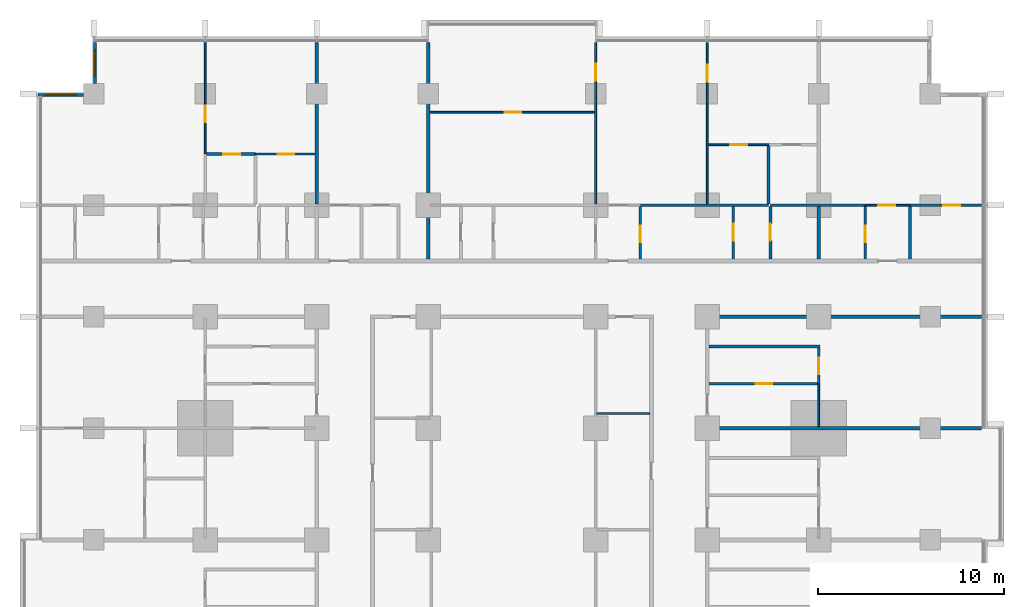
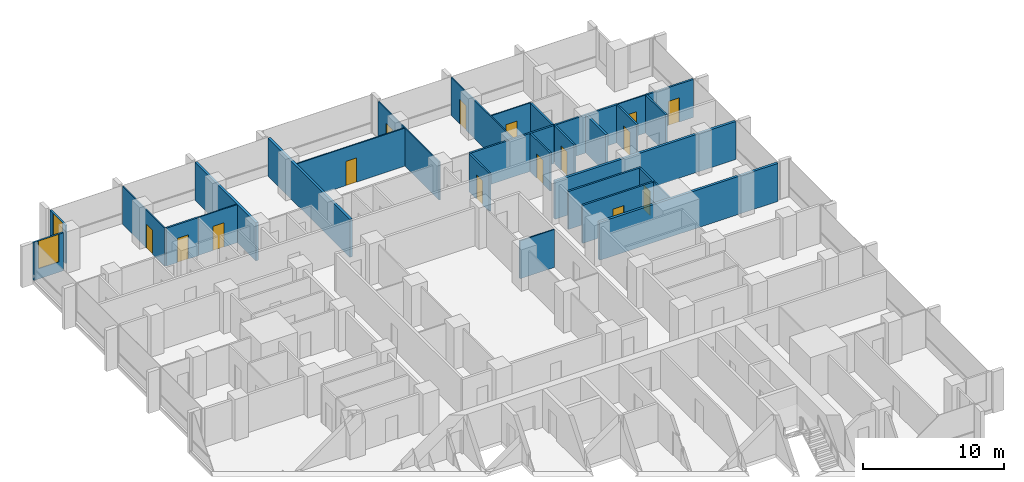
# One storey, part 12 of 18: 29 walls, 15 doors, 2 windows, 17 openings.
"""IFC4 building model written with IfcOpenShell, lengths in metres."""

from ifc_helpers import new_model, si_unit, direction, frame, frame_2d, origin, place, context, subcontext, project, spatial, rectangle, extrude, material, layer, layer_set, type_object, element, fill, save


model = new_model("IFC4")

# Units and contexts
model_context = context("Model", 3, precision=1e-05, world=origin(), true_north=direction((0.0, 1.0)))
body_context = subcontext(model_context, "Body", "Model", "MODEL_VIEW")
ifc_project = project(units=[si_unit("LENGTHUNIT", "METRE"), si_unit("AREAUNIT", "SQUARE_METRE"), si_unit("VOLUMEUNIT", "CUBIC_METRE"), si_unit("PLANEANGLEUNIT", "RADIAN"), si_unit("MASSUNIT", "GRAM", prefix="KILO")], contexts=[model_context])

# Site, building, storey
site_placement = place(None, origin())
site = spatial("IfcSite", under=ifc_project, at=site_placement, CompositionType="ELEMENT")
building_placement = place(site_placement, origin())
building = spatial("IfcBuilding", under=site, at=building_placement, Name="Finial Court Residences", CompositionType="ELEMENT")
storey_placement = place(building_placement, frame((0.0, 0.0, 50.5)))
storey = spatial("IfcBuildingStorey", under=building, at=storey_placement, Name="L11", CompositionType="ELEMENT", Elevation=50.5)

# Walls
ifc_material_1 = material(Name="Gypsum board")
ifc_layer_1 = layer(ifc_material_1, 0.02490234375)
ifc_material_2 = material(Name="Acoustic mineral wool in double frame")
ifc_layer_2 = layer(ifc_material_2, 0.14990234375)
ifc_layer_3 = layer(ifc_material_1, 0.02490234375)
ifc_layer_set_1 = layer_set([ifc_layer_1, ifc_layer_2, ifc_layer_3], Name="Acoustic party wall 200, 1 hour")
wall_type_1 = type_object("IfcWallType", Name="Acoustic party wall 200, 1 hour", PredefinedType="PARTITIONING", material=ifc_layer_set_1)
wall_1_placement = place(storey_placement, frame((10.60009765625, 7.5, 0.0), z_axis=(0.0, 0.0, 1.0), x_axis=(1.0, 0.0, 0.0)))
element("IfcWall", 1, at=wall_1_placement, inside=storey, type_object=wall_type_1, Name="Partition L11-024", PredefinedType="PARTITIONING", context=body_context, shape_type="SweptSolid", body=[
    extrude(rectangle(XDim=14.64990234375, YDim=0.199951171875, at=frame_2d((7.324951171875, 0.0))), origin(), (0.0, 0.0, 1.0), 3.300048828125),
])
wall_2_placement = place(storey_placement, frame((-10.5, 19.574951171875, 0.0), z_axis=(0.0, 0.0, 1.0), x_axis=(0.0, 1.0, 0.0)))
element("IfcWall", 2, at=wall_2_placement, inside=storey, type_object=wall_type_1, Name="Partition L11-078", PredefinedType="PARTITIONING", context=body_context, shape_type="SweptSolid", body=[
    extrude(rectangle(XDim=8.675048828125, YDim=0.199951171875, at=frame_2d((4.33740234375, 0.0))), origin(), (0.0, 0.0, 1.0), 3.300048828125),
])
wall_3_placement = place(storey_placement, frame((-4.5, 16.60009765625, 0.0), z_axis=(0.0, 0.0, 1.0), x_axis=(0.0, 1.0, 0.0)))
element("IfcWall", 3, at=wall_3_placement, inside=storey, type_object=wall_type_1, Name="Partition L11-082", PredefinedType="PARTITIONING", context=body_context, shape_type="SweptSolid", body=[
    extrude(rectangle(XDim=11.64990234375, YDim=0.199951171875, at=frame_2d((5.824951171875, 0.0))), origin(), (0.0, 0.0, 1.0), 3.300048828125),
])
wall_4_placement = place(storey_placement, frame((16.5, 16.60009765625, 0.0), z_axis=(0.0, 0.0, 1.0), x_axis=(0.0, 1.0, 0.0)))
element("IfcWall", 4, at=wall_4_placement, inside=storey, type_object=wall_type_1, Name="Partition L11-100", PredefinedType="PARTITIONING", context=body_context, shape_type="SweptSolid", body=[
    extrude(rectangle(XDim=2.824951171875, YDim=0.199951171875, at=frame_2d((1.41259765625, 0.0))), origin(), (0.0, 0.0, 1.0), 3.300048828125),
])
ifc_layer_4 = layer(ifc_material_1, 0.02490234375)
ifc_layer_5 = layer(ifc_material_2, 0.14990234375)
ifc_layer_6 = layer(ifc_material_1, 0.02490234375)
ifc_layer_set_2 = layer_set([ifc_layer_4, ifc_layer_5, ifc_layer_6], Name="Corridor wall 200, 1 hour")
wall_type_2 = type_object("IfcWallType", Name="Corridor wall 200, 1 hour", PredefinedType="PARTITIONING", material=ifc_layer_set_2)
wall_5_placement = place(storey_placement, frame((10.39990234375, 13.5, 0.0), z_axis=(0.0, 0.0, 1.0), x_axis=(1.0, 0.0, 0.0)))
element("IfcWall", 5, at=wall_5_placement, inside=storey, type_object=wall_type_2, Name="Partition L11-034", PredefinedType="PARTITIONING", context=body_context, shape_type="SweptSolid", body=[
    extrude(rectangle(XDim=14.85009765625, YDim=0.199951171875, at=frame_2d((7.425048828125, 0.0))), origin(), (0.0, 0.0, 1.0), 3.300048828125),
])
ifc_layer_7 = layer(ifc_material_1, 0.012451171875)
ifc_material_3 = material(Name="Mineral wool in light-gauge frame")
ifc_layer_8 = layer(ifc_material_3, 0.074951171875)
ifc_layer_9 = layer(ifc_material_1, 0.012451171875)
ifc_layer_set_3 = layer_set([ifc_layer_7, ifc_layer_8, ifc_layer_9], Name="Gypsum board partition 100")
wall_type_3 = type_object("IfcWallType", Name="Gypsum board partition 100", PredefinedType="PARTITIONING", material=ifc_layer_set_3)
wall_6_placement = place(storey_placement, frame((4.550048828125, 8.300048828125, 0.0), z_axis=(0.0, 0.0, 1.0), x_axis=(1.0, 0.0, 0.0)))
element("IfcWall", 6, at=wall_6_placement, inside=storey, type_object=wall_type_3, Name="Partition L11-027", PredefinedType="PARTITIONING", context=body_context, shape_type="SweptSolid", body=[
    extrude(rectangle(XDim=2.849853515625, YDim=0.10009765625, at=frame_2d((1.4248046875, 0.0))), origin(), (0.0, 0.0, 1.0), 3.300048828125),
])

# Wall, opening, door
wall_7_placement = place(storey_placement, frame((19.0, 19.5, 0.0), z_axis=(0.0, 0.0, 1.0), x_axis=(1.0, 0.0, 0.0)))
wall_7 = element("IfcWall", 7, at=wall_7_placement, inside=storey, type_object=wall_type_3, Name="Partition L11-041", PredefinedType="PARTITIONING", context=body_context, shape_type="SweptSolid", body=[
    extrude(rectangle(XDim=2.39990234375, YDim=0.10009765625, at=frame_2d((1.199951171875, 0.0))), origin(), (0.0, 0.0, 1.0), 3.300048828125),
])
opening_1_placement = place(wall_7_placement, frame((0.699951171875, 0.0, 0.0)))
opening_1 = element("IfcOpeningElement", 8, at=opening_1_placement, cuts=wall_7, Name="Opening L11-D026", PredefinedType="OPENING", context=body_context, shape_type="SweptSolid", body=[
    extrude(rectangle(XDim=0.89990234375, YDim=2.10009765625, at=frame_2d((0.449951171875, 1.050048828125))), frame((0.0, 0.06005859375, 0.0), z_axis=(0.0, -1.0, 0.0), x_axis=(1.0, 0.0, 0.0)), (0.0, 0.0, 1.0), 0.1201171875),
])
ifc_material_4 = material(Name="Timber door leaf in timber frame", Category="wood")
door_type = type_object("IfcDoorType", Name="Door set 900 x 2100", OperationType="SINGLE_SWING_LEFT", PredefinedType="DOOR", material=ifc_material_4)
door_1_placement = place(opening_1_placement, origin())
door_1 = element("IfcDoor", 9, at=door_1_placement, inside=storey, type_object=door_type, Name="Door L11-D026", OperationType="SINGLE_SWING_LEFT", OverallHeight=2.10009765625, OverallWidth=0.89990234375, PredefinedType="DOOR", context=body_context, shape_type="SweptSolid", body=[
    extrude(rectangle(XDim=0.89990234375, YDim=2.10009765625, at=frame_2d((0.449951171875, 1.050048828125))), frame((0.0, 0.02490234375, 0.0), z_axis=(0.0, -1.0, 0.0), x_axis=(1.0, 0.0, 0.0)), (0.0, 0.0, 1.0), 0.050048828125),
])
fill(opening_1, door_1)

wall_8_placement = place(storey_placement, frame((-13.800048828125, 22.25, 0.0), z_axis=(0.0, 0.0, 1.0), x_axis=(1.0, 0.0, 0.0)))
wall_8 = element("IfcWall", 10, at=wall_8_placement, inside=storey, type_object=wall_type_3, Name="Partition L11-050", PredefinedType="PARTITIONING", context=body_context, shape_type="SweptSolid", body=[
    extrude(rectangle(XDim=3.199951171875, YDim=0.10009765625, at=frame_2d((1.60009765625, 0.0))), origin(), (0.0, 0.0, 1.0), 3.300048828125),
])
opening_2_placement = place(wall_8_placement, frame((1.199951171875, 0.0, 0.0)))
opening_2 = element("IfcOpeningElement", 11, at=opening_2_placement, cuts=wall_8, Name="Opening L11-D029", PredefinedType="OPENING", context=body_context, shape_type="SweptSolid", body=[
    extrude(rectangle(XDim=0.89990234375, YDim=2.10009765625, at=frame_2d((0.449951171875, 1.050048828125))), frame((0.0, 0.06005859375, 0.0), z_axis=(0.0, -1.0, 0.0), x_axis=(1.0, 0.0, 0.0)), (0.0, 0.0, 1.0), 0.1201171875),
])
door_2_placement = place(opening_2_placement, origin())
door_2 = element("IfcDoor", 12, at=door_2_placement, inside=storey, type_object=door_type, Name="Door L11-D029", OperationType="SINGLE_SWING_LEFT", OverallHeight=2.10009765625, OverallWidth=0.89990234375, PredefinedType="DOOR", context=body_context, shape_type="SweptSolid", body=[
    extrude(rectangle(XDim=0.89990234375, YDim=2.10009765625, at=frame_2d((0.449951171875, 1.050048828125))), frame((0.0, 0.02490234375, 0.0), z_axis=(0.0, -1.0, 0.0), x_axis=(1.0, 0.0, 0.0)), (0.0, 0.0, 1.0), 0.050048828125),
])
fill(opening_2, door_2)

wall_9_placement = place(storey_placement, frame((10.550048828125, 22.75, 0.0), z_axis=(0.0, 0.0, 1.0), x_axis=(1.0, 0.0, 0.0)))
wall_9 = element("IfcWall", 13, at=wall_9_placement, inside=storey, type_object=wall_type_3, Name="Partition L11-052", PredefinedType="PARTITIONING", context=body_context, shape_type="SweptSolid", body=[
    extrude(rectangle(XDim=3.25, YDim=0.10009765625, at=frame_2d((1.625, 0.0))), origin(), (0.0, 0.0, 1.0), 3.300048828125),
])
opening_3_placement = place(wall_9_placement, frame((1.199951171875, 0.0, 0.0)))
opening_3 = element("IfcOpeningElement", 14, at=opening_3_placement, cuts=wall_9, Name="Opening L11-D031", PredefinedType="OPENING", context=body_context, shape_type="SweptSolid", body=[
    extrude(rectangle(XDim=0.89990234375, YDim=2.10009765625, at=frame_2d((0.449951171875, 1.050048828125))), frame((0.0, 0.06005859375, 0.0), z_axis=(0.0, -1.0, 0.0), x_axis=(1.0, 0.0, 0.0)), (0.0, 0.0, 1.0), 0.1201171875),
])
door_3_placement = place(opening_3_placement, origin())
door_3 = element("IfcDoor", 15, at=door_3_placement, inside=storey, type_object=door_type, Name="Door L11-D031", OperationType="SINGLE_SWING_LEFT", OverallHeight=2.10009765625, OverallWidth=0.89990234375, PredefinedType="DOOR", context=body_context, shape_type="SweptSolid", body=[
    extrude(rectangle(XDim=0.89990234375, YDim=2.10009765625, at=frame_2d((0.449951171875, 1.050048828125))), frame((0.0, 0.02490234375, 0.0), z_axis=(0.0, -1.0, 0.0), x_axis=(1.0, 0.0, 0.0)), (0.0, 0.0, 1.0), 0.050048828125),
])
fill(opening_3, door_3)

wall_10_placement = place(storey_placement, frame((-4.39990234375, 24.5, 0.0), z_axis=(0.0, 0.0, 1.0), x_axis=(1.0, 0.0, 0.0)))
wall_10 = element("IfcWall", 16, at=wall_10_placement, inside=storey, type_object=wall_type_3, Name="Partition L11-054", PredefinedType="PARTITIONING", context=body_context, shape_type="SweptSolid", body=[
    extrude(rectangle(XDim=8.849853515625, YDim=0.10009765625, at=frame_2d((4.4248046875, 0.0))), origin(), (0.0, 0.0, 1.0), 3.300048828125),
])
opening_4_placement = place(wall_10_placement, frame((4.0, 0.0, 0.0)))
opening_4 = element("IfcOpeningElement", 17, at=opening_4_placement, cuts=wall_10, Name="Opening L11-D033", PredefinedType="OPENING", context=body_context, shape_type="SweptSolid", body=[
    extrude(rectangle(XDim=0.89990234375, YDim=2.10009765625, at=frame_2d((0.449951171875, 1.050048828125))), frame((0.0, 0.06005859375, 0.0), z_axis=(0.0, -1.0, 0.0), x_axis=(1.0, 0.0, 0.0)), (0.0, 0.0, 1.0), 0.1201171875),
])
door_4_placement = place(opening_4_placement, origin())
door_4 = element("IfcDoor", 18, at=door_4_placement, inside=storey, type_object=door_type, Name="Door L11-D033", OperationType="SINGLE_SWING_LEFT", OverallHeight=2.10009765625, OverallWidth=0.89990234375, PredefinedType="DOOR", context=body_context, shape_type="SweptSolid", body=[
    extrude(rectangle(XDim=0.89990234375, YDim=2.10009765625, at=frame_2d((0.449951171875, 1.050048828125))), frame((0.0, 0.02490234375, 0.0), z_axis=(0.0, -1.0, 0.0), x_axis=(1.0, 0.0, 0.0)), (0.0, 0.0, 1.0), 0.050048828125),
])
fill(opening_4, door_4)

wall_11_placement = place(storey_placement, frame((-16.5, 22.25, 0.0), z_axis=(0.0, 0.0, 1.0), x_axis=(0.0, 1.0, 0.0)))
wall_11 = element("IfcWall", 19, at=wall_11_placement, inside=storey, type_object=wall_type_3, Name="Partition L11-066", PredefinedType="PARTITIONING", context=body_context, shape_type="SweptSolid", body=[
    extrude(rectangle(XDim=6.0, YDim=0.10009765625, at=frame_2d((3.0, 0.0))), origin(), (0.0, 0.0, 1.0), 3.300048828125),
])
opening_5_placement = place(wall_11_placement, frame((1.699951171875, 0.0, 0.0)))
opening_5 = element("IfcOpeningElement", 20, at=opening_5_placement, cuts=wall_11, Name="Opening L11-D043", PredefinedType="OPENING", context=body_context, shape_type="SweptSolid", body=[
    extrude(rectangle(XDim=0.89990234375, YDim=2.10009765625, at=frame_2d((0.449951171875, 1.050048828125))), frame((0.0, 0.06005859375, 0.0), z_axis=(0.0, -1.0, 0.0), x_axis=(1.0, 0.0, 0.0)), (0.0, 0.0, 1.0), 0.1201171875),
])
door_5_placement = place(opening_5_placement, origin())
door_5 = element("IfcDoor", 21, at=door_5_placement, inside=storey, type_object=door_type, Name="Door L11-D043", OperationType="SINGLE_SWING_LEFT", OverallHeight=2.10009765625, OverallWidth=0.89990234375, PredefinedType="DOOR", context=body_context, shape_type="SweptSolid", body=[
    extrude(rectangle(XDim=0.89990234375, YDim=2.10009765625, at=frame_2d((0.449951171875, 1.050048828125))), frame((0.0, 0.02490234375, 0.0), z_axis=(0.0, -1.0, 0.0), x_axis=(1.0, 0.0, 0.0)), (0.0, 0.0, 1.0), 0.050048828125),
])
fill(opening_5, door_5)

wall_12_placement = place(storey_placement, frame((4.5, 19.574951171875, 0.0), z_axis=(0.0, 0.0, 1.0), x_axis=(0.0, 1.0, 0.0)))
wall_12 = element("IfcWall", 22, at=wall_12_placement, inside=storey, type_object=wall_type_3, Name="Partition L11-087", PredefinedType="PARTITIONING", context=body_context, shape_type="SweptSolid", body=[
    extrude(rectangle(XDim=8.675048828125, YDim=0.10009765625, at=frame_2d((4.33740234375, 0.0))), origin(), (0.0, 0.0, 1.0), 3.300048828125),
])
opening_6_placement = place(wall_12_placement, frame((6.625, 0.0, 0.0)))
opening_6 = element("IfcOpeningElement", 23, at=opening_6_placement, cuts=wall_12, Name="Opening L11-D053", PredefinedType="OPENING", context=body_context, shape_type="SweptSolid", body=[
    extrude(rectangle(XDim=0.89990234375, YDim=2.10009765625, at=frame_2d((0.449951171875, 1.050048828125))), frame((0.0, 0.06005859375, 0.0), z_axis=(0.0, -1.0, 0.0), x_axis=(1.0, 0.0, 0.0)), (0.0, 0.0, 1.0), 0.1201171875),
])
door_6_placement = place(opening_6_placement, origin())
door_6 = element("IfcDoor", 24, at=door_6_placement, inside=storey, type_object=door_type, Name="Door L11-D053", OperationType="SINGLE_SWING_LEFT", OverallHeight=2.10009765625, OverallWidth=0.89990234375, PredefinedType="DOOR", context=body_context, shape_type="SweptSolid", body=[
    extrude(rectangle(XDim=0.89990234375, YDim=2.10009765625, at=frame_2d((0.449951171875, 1.050048828125))), frame((0.0, 0.02490234375, 0.0), z_axis=(0.0, -1.0, 0.0), x_axis=(1.0, 0.0, 0.0)), (0.0, 0.0, 1.0), 0.050048828125),
])
fill(opening_6, door_6)

wall_13_placement = place(storey_placement, frame((10.5, 19.574951171875, 0.0), z_axis=(0.0, 0.0, 1.0), x_axis=(0.0, 1.0, 0.0)))
wall_13 = element("IfcWall", 25, at=wall_13_placement, inside=storey, type_object=wall_type_3, Name="Partition L11-092", PredefinedType="PARTITIONING", context=body_context, shape_type="SweptSolid", body=[
    extrude(rectangle(XDim=8.675048828125, YDim=0.10009765625, at=frame_2d((4.33740234375, 0.0))), origin(), (0.0, 0.0, 1.0), 3.300048828125),
])
opening_7_placement = place(wall_13_placement, frame((6.574951171875, 0.0, 0.0)))
opening_7 = element("IfcOpeningElement", 26, at=opening_7_placement, cuts=wall_13, Name="Opening L11-D059", PredefinedType="OPENING", context=body_context, shape_type="SweptSolid", body=[
    extrude(rectangle(XDim=0.89990234375, YDim=2.10009765625, at=frame_2d((0.449951171875, 1.050048828125))), frame((0.0, 0.06005859375, 0.0), z_axis=(0.0, -1.0, 0.0), x_axis=(1.0, 0.0, 0.0)), (0.0, 0.0, 1.0), 0.1201171875),
])
door_7_placement = place(opening_7_placement, origin())
door_7 = element("IfcDoor", 27, at=door_7_placement, inside=storey, type_object=door_type, Name="Door L11-D059", OperationType="SINGLE_SWING_RIGHT", OverallHeight=2.10009765625, OverallWidth=0.89990234375, PredefinedType="DOOR", context=body_context, shape_type="SweptSolid", body=[
    extrude(rectangle(XDim=0.89990234375, YDim=2.10009765625, at=frame_2d((0.449951171875, 1.050048828125))), frame((0.0, 0.02490234375, 0.0), z_axis=(0.0, -1.0, 0.0), x_axis=(1.0, 0.0, 0.0)), (0.0, 0.0, 1.0), 0.050048828125),
])
fill(opening_7, door_7)

# Wall
wall_14_placement = place(storey_placement, frame((16.5, 7.60009765625, 0.0), z_axis=(0.0, 0.0, 1.0), x_axis=(0.0, 1.0, 0.0)))
element("IfcWall", 28, at=wall_14_placement, inside=storey, type_object=wall_type_3, Name="Partition L11-099", PredefinedType="PARTITIONING", context=body_context, shape_type="SweptSolid", body=[
    extrude(rectangle(XDim=2.2998046875, YDim=0.10009765625, at=frame_2d((1.14990234375, 0.0))), origin(), (0.0, 0.0, 1.0), 3.300048828125),
])

# Wall, opening, door
ifc_material_5 = material(Name="Moisture-resistant gypsum board")
ifc_layer_10 = layer(ifc_material_5, 0.012451171875)
ifc_layer_11 = layer(ifc_material_3, 0.125)
ifc_layer_12 = layer(ifc_material_5, 0.012451171875)
ifc_layer_set_4 = layer_set([ifc_layer_10, ifc_layer_11, ifc_layer_12], Name="Gypsum board wet-area partition 150")
wall_type_4 = type_object("IfcWallType", Name="Gypsum board wet-area partition 150", PredefinedType="PARTITIONING", material=ifc_layer_set_4)
wall_15_placement = place(storey_placement, frame((10.60009765625, 9.89990234375, 0.0), z_axis=(0.0, 0.0, 1.0), x_axis=(1.0, 0.0, 0.0)))
wall_15 = element("IfcWall", 29, at=wall_15_placement, inside=storey, type_object=wall_type_4, Name="Partition L11-029", PredefinedType="PARTITIONING", context=body_context, shape_type="SweptSolid", body=[
    extrude(rectangle(XDim=5.824951171875, YDim=0.14990234375, at=frame_2d((2.91259765625, 0.0))), origin(), (0.0, 0.0, 1.0), 3.300048828125),
])
opening_8_placement = place(wall_15_placement, frame((2.5, 0.0, 0.0)))
opening_8 = element("IfcOpeningElement", 30, at=opening_8_placement, cuts=wall_15, Name="Opening L11-D015", PredefinedType="OPENING", context=body_context, shape_type="SweptSolid", body=[
    extrude(rectangle(XDim=0.89990234375, YDim=2.10009765625, at=frame_2d((0.449951171875, 1.050048828125))), frame((0.0, 0.0849609375, 0.0), z_axis=(0.0, -1.0, 0.0), x_axis=(1.0, 0.0, 0.0)), (0.0, 0.0, 1.0), 0.169921875),
])
door_8_placement = place(opening_8_placement, origin())
door_8 = element("IfcDoor", 31, at=door_8_placement, inside=storey, type_object=door_type, Name="Door L11-D015", OperationType="SINGLE_SWING_LEFT", OverallHeight=2.10009765625, OverallWidth=0.89990234375, PredefinedType="DOOR", context=body_context, shape_type="SweptSolid", body=[
    extrude(rectangle(XDim=0.89990234375, YDim=2.10009765625, at=frame_2d((0.449951171875, 1.050048828125))), frame((0.0, 0.02490234375, 0.0), z_axis=(0.0, -1.0, 0.0), x_axis=(1.0, 0.0, 0.0)), (0.0, 0.0, 1.0), 0.050048828125),
])
fill(opening_8, door_8)

# Walls
wall_16_placement = place(storey_placement, frame((10.60009765625, 11.89990234375, 0.0), z_axis=(0.0, 0.0, 1.0), x_axis=(1.0, 0.0, 0.0)))
element("IfcWall", 32, at=wall_16_placement, inside=storey, type_object=wall_type_4, Name="Partition L11-031", PredefinedType="PARTITIONING", context=body_context, shape_type="SweptSolid", body=[
    extrude(rectangle(XDim=5.974853515625, YDim=0.14990234375, at=frame_2d((2.9873046875, 0.0))), origin(), (0.0, 0.0, 1.0), 3.300048828125),
])
wall_17_placement = place(storey_placement, frame((6.89990234375, 19.5, 0.0), z_axis=(0.0, 0.0, 1.0), x_axis=(1.0, 0.0, 0.0)))
element("IfcWall", 33, at=wall_17_placement, inside=storey, type_object=wall_type_4, Name="Partition L11-047", PredefinedType="PARTITIONING", context=body_context, shape_type="SweptSolid", body=[
    extrude(rectangle(XDim=6.900146484375, YDim=0.14990234375, at=frame_2d((3.4501953125, 0.0))), origin(), (0.0, 0.0, 1.0), 3.300048828125),
])
wall_18_placement = place(storey_placement, frame((13.89990234375, 19.5, 0.0), z_axis=(0.0, 0.0, 1.0), x_axis=(1.0, 0.0, 0.0)))
element("IfcWall", 34, at=wall_18_placement, inside=storey, type_object=wall_type_4, Name="Partition L11-048", PredefinedType="PARTITIONING", context=body_context, shape_type="SweptSolid", body=[
    extrude(rectangle(XDim=5.10009765625, YDim=0.14990234375, at=frame_2d((2.550048828125, 0.0))), origin(), (0.0, 0.0, 1.0), 3.300048828125),
])

# Wall, opening, door
wall_19_placement = place(storey_placement, frame((21.39990234375, 19.5, 0.0), z_axis=(0.0, 0.0, 1.0), x_axis=(1.0, 0.0, 0.0)))
wall_19 = element("IfcWall", 35, at=wall_19_placement, inside=storey, type_object=wall_type_4, Name="Partition L11-049", PredefinedType="PARTITIONING", context=body_context, shape_type="SweptSolid", body=[
    extrude(rectangle(XDim=3.85009765625, YDim=0.14990234375, at=frame_2d((1.925048828125, 0.0))), origin(), (0.0, 0.0, 1.0), 3.300048828125),
])
opening_9_placement = place(wall_19_placement, frame((1.800048828125, 0.0, 0.0)))
opening_9 = element("IfcOpeningElement", 36, at=opening_9_placement, cuts=wall_19, Name="Opening L11-D028", PredefinedType="OPENING", context=body_context, shape_type="SweptSolid", body=[
    extrude(rectangle(XDim=0.89990234375, YDim=2.10009765625, at=frame_2d((0.449951171875, 1.050048828125))), frame((0.0, 0.0849609375, 0.0), z_axis=(0.0, -1.0, 0.0), x_axis=(1.0, 0.0, 0.0)), (0.0, 0.0, 1.0), 0.169921875),
])
door_9_placement = place(opening_9_placement, origin())
door_9 = element("IfcDoor", 37, at=door_9_placement, inside=storey, type_object=door_type, Name="Door L11-D028", OperationType="SINGLE_SWING_RIGHT", OverallHeight=2.10009765625, OverallWidth=0.89990234375, PredefinedType="DOOR", context=body_context, shape_type="SweptSolid", body=[
    extrude(rectangle(XDim=0.89990234375, YDim=2.10009765625, at=frame_2d((0.449951171875, 1.050048828125))), frame((0.0, 0.02490234375, 0.0), z_axis=(0.0, -1.0, 0.0), x_axis=(1.0, 0.0, 0.0)), (0.0, 0.0, 1.0), 0.050048828125),
])
fill(opening_9, door_9)

wall_20_placement = place(storey_placement, frame((-16.425048828125, 22.25, 0.0), z_axis=(0.0, 0.0, 1.0), x_axis=(1.0, 0.0, 0.0)))
wall_20 = element("IfcWall", 38, at=wall_20_placement, inside=storey, type_object=wall_type_4, Name="Partition L11-051", PredefinedType="PARTITIONING", context=body_context, shape_type="SweptSolid", body=[
    extrude(rectangle(XDim=2.625, YDim=0.14990234375, at=frame_2d((1.3125, 0.0))), origin(), (0.0, 0.0, 1.0), 3.300048828125),
])
opening_10_placement = place(wall_20_placement, frame((0.89990234375, 0.0, 0.0)))
opening_10 = element("IfcOpeningElement", 39, at=opening_10_placement, cuts=wall_20, Name="Opening L11-D030", PredefinedType="OPENING", context=body_context, shape_type="SweptSolid", body=[
    extrude(rectangle(XDim=0.89990234375, YDim=2.10009765625, at=frame_2d((0.449951171875, 1.050048828125))), frame((0.0, 0.0849609375, 0.0), z_axis=(0.0, -1.0, 0.0), x_axis=(1.0, 0.0, 0.0)), (0.0, 0.0, 1.0), 0.169921875),
])
door_10_placement = place(opening_10_placement, origin())
door_10 = element("IfcDoor", 40, at=door_10_placement, inside=storey, type_object=door_type, Name="Door L11-D030", OperationType="SINGLE_SWING_RIGHT", OverallHeight=2.10009765625, OverallWidth=0.89990234375, PredefinedType="DOOR", context=body_context, shape_type="SweptSolid", body=[
    extrude(rectangle(XDim=0.89990234375, YDim=2.10009765625, at=frame_2d((0.449951171875, 1.050048828125))), frame((0.0, 0.02490234375, 0.0), z_axis=(0.0, -1.0, 0.0), x_axis=(1.0, 0.0, 0.0)), (0.0, 0.0, 1.0), 0.050048828125),
])
fill(opening_10, door_10)

wall_21_placement = place(storey_placement, frame((6.89990234375, 16.60009765625, 0.0), z_axis=(0.0, 0.0, 1.0), x_axis=(0.0, 1.0, 0.0)))
wall_21 = element("IfcWall", 41, at=wall_21_placement, inside=storey, type_object=wall_type_4, Name="Partition L11-089", PredefinedType="PARTITIONING", context=body_context, shape_type="SweptSolid", body=[
    extrude(rectangle(XDim=2.824951171875, YDim=0.14990234375, at=frame_2d((1.41259765625, 0.0))), origin(), (0.0, 0.0, 1.0), 3.300048828125),
])
opening_11_placement = place(wall_21_placement, frame((0.89990234375, 0.0, 0.0)))
opening_11 = element("IfcOpeningElement", 42, at=opening_11_placement, cuts=wall_21, Name="Opening L11-D055", PredefinedType="OPENING", context=body_context, shape_type="SweptSolid", body=[
    extrude(rectangle(XDim=0.89990234375, YDim=2.10009765625, at=frame_2d((0.449951171875, 1.050048828125))), frame((0.0, 0.0849609375, 0.0), z_axis=(0.0, -1.0, 0.0), x_axis=(1.0, 0.0, 0.0)), (0.0, 0.0, 1.0), 0.169921875),
])
door_11_placement = place(opening_11_placement, origin())
door_11 = element("IfcDoor", 43, at=door_11_placement, inside=storey, type_object=door_type, Name="Door L11-D055", OperationType="SINGLE_SWING_LEFT", OverallHeight=2.10009765625, OverallWidth=0.89990234375, PredefinedType="DOOR", context=body_context, shape_type="SweptSolid", body=[
    extrude(rectangle(XDim=0.89990234375, YDim=2.10009765625, at=frame_2d((0.449951171875, 1.050048828125))), frame((0.0, 0.02490234375, 0.0), z_axis=(0.0, -1.0, 0.0), x_axis=(1.0, 0.0, 0.0)), (0.0, 0.0, 1.0), 0.050048828125),
])
fill(opening_11, door_11)

wall_22_placement = place(storey_placement, frame((11.89990234375, 16.60009765625, 0.0), z_axis=(0.0, 0.0, 1.0), x_axis=(0.0, 1.0, 0.0)))
wall_22 = element("IfcWall", 44, at=wall_22_placement, inside=storey, type_object=wall_type_4, Name="Partition L11-093", PredefinedType="PARTITIONING", context=body_context, shape_type="SweptSolid", body=[
    extrude(rectangle(XDim=2.824951171875, YDim=0.14990234375, at=frame_2d((1.41259765625, 0.0))), origin(), (0.0, 0.0, 1.0), 3.300048828125),
])
opening_12_placement = place(wall_22_placement, frame((1.0, 0.0, 0.0)))
opening_12 = element("IfcOpeningElement", 45, at=opening_12_placement, cuts=wall_22, Name="Opening L11-D060", PredefinedType="OPENING", context=body_context, shape_type="SweptSolid", body=[
    extrude(rectangle(XDim=0.89990234375, YDim=2.10009765625, at=frame_2d((0.449951171875, 1.050048828125))), frame((0.0, 0.0849609375, 0.0), z_axis=(0.0, -1.0, 0.0), x_axis=(1.0, 0.0, 0.0)), (0.0, 0.0, 1.0), 0.169921875),
])
door_12_placement = place(opening_12_placement, origin())
door_12 = element("IfcDoor", 46, at=door_12_placement, inside=storey, type_object=door_type, Name="Door L11-D060", OperationType="SINGLE_SWING_RIGHT", OverallHeight=2.10009765625, OverallWidth=0.89990234375, PredefinedType="DOOR", context=body_context, shape_type="SweptSolid", body=[
    extrude(rectangle(XDim=0.89990234375, YDim=2.10009765625, at=frame_2d((0.449951171875, 1.050048828125))), frame((0.0, 0.02490234375, 0.0), z_axis=(0.0, -1.0, 0.0), x_axis=(1.0, 0.0, 0.0)), (0.0, 0.0, 1.0), 0.050048828125),
])
fill(opening_12, door_12)

# Wall
wall_23_placement = place(storey_placement, frame((13.800048828125, 19.574951171875, 0.0), z_axis=(0.0, 0.0, 1.0), x_axis=(0.0, 1.0, 0.0)))
element("IfcWall", 47, at=wall_23_placement, inside=storey, type_object=wall_type_4, Name="Partition L11-094", PredefinedType="PARTITIONING", context=body_context, shape_type="SweptSolid", body=[
    extrude(rectangle(XDim=3.10009765625, YDim=0.14990234375, at=frame_2d((1.550048828125, 0.0))), origin(), (0.0, 0.0, 1.0), 3.300048828125),
])

# Wall, opening, door
wall_24_placement = place(storey_placement, frame((13.89990234375, 16.60009765625, 0.0), z_axis=(0.0, 0.0, 1.0), x_axis=(0.0, 1.0, 0.0)))
wall_24 = element("IfcWall", 48, at=wall_24_placement, inside=storey, type_object=wall_type_4, Name="Partition L11-095", PredefinedType="PARTITIONING", context=body_context, shape_type="SweptSolid", body=[
    extrude(rectangle(XDim=2.824951171875, YDim=0.14990234375, at=frame_2d((1.41259765625, 0.0))), origin(), (0.0, 0.0, 1.0), 3.300048828125),
])
opening_13_placement = place(wall_24_placement, frame((1.0, 0.0, 0.0)))
opening_13 = element("IfcOpeningElement", 49, at=opening_13_placement, cuts=wall_24, Name="Opening L11-D061", PredefinedType="OPENING", context=body_context, shape_type="SweptSolid", body=[
    extrude(rectangle(XDim=0.89990234375, YDim=2.10009765625, at=frame_2d((0.449951171875, 1.050048828125))), frame((0.0, 0.0849609375, 0.0), z_axis=(0.0, -1.0, 0.0), x_axis=(1.0, 0.0, 0.0)), (0.0, 0.0, 1.0), 0.169921875),
])
door_13_placement = place(opening_13_placement, origin())
door_13 = element("IfcDoor", 50, at=door_13_placement, inside=storey, type_object=door_type, Name="Door L11-D061", OperationType="SINGLE_SWING_LEFT", OverallHeight=2.10009765625, OverallWidth=0.89990234375, PredefinedType="DOOR", context=body_context, shape_type="SweptSolid", body=[
    extrude(rectangle(XDim=0.89990234375, YDim=2.10009765625, at=frame_2d((0.449951171875, 1.050048828125))), frame((0.0, 0.02490234375, 0.0), z_axis=(0.0, -1.0, 0.0), x_axis=(1.0, 0.0, 0.0)), (0.0, 0.0, 1.0), 0.050048828125),
])
fill(opening_13, door_13)

wall_25_placement = place(storey_placement, frame((16.5, 9.89990234375, 0.0), z_axis=(0.0, 0.0, 1.0), x_axis=(0.0, 1.0, 0.0)))
wall_25 = element("IfcWall", 51, at=wall_25_placement, inside=storey, type_object=wall_type_4, Name="Partition L11-105", PredefinedType="PARTITIONING", context=body_context, shape_type="SweptSolid", body=[
    extrude(rectangle(XDim=1.925048828125, YDim=0.14990234375, at=frame_2d((0.96240234375, 0.0))), origin(), (0.0, 0.0, 1.0), 3.300048828125),
])
opening_14_placement = place(wall_25_placement, frame((0.5, 0.0, 0.0)))
opening_14 = element("IfcOpeningElement", 52, at=opening_14_placement, cuts=wall_25, Name="Opening L11-D067", PredefinedType="OPENING", context=body_context, shape_type="SweptSolid", body=[
    extrude(rectangle(XDim=0.89990234375, YDim=2.10009765625, at=frame_2d((0.449951171875, 1.050048828125))), frame((0.0, 0.0849609375, 0.0), z_axis=(0.0, -1.0, 0.0), x_axis=(1.0, 0.0, 0.0)), (0.0, 0.0, 1.0), 0.169921875),
])
door_14_placement = place(opening_14_placement, origin())
door_14 = element("IfcDoor", 53, at=door_14_placement, inside=storey, type_object=door_type, Name="Door L11-D067", OperationType="SINGLE_SWING_RIGHT", OverallHeight=2.10009765625, OverallWidth=0.89990234375, PredefinedType="DOOR", context=body_context, shape_type="SweptSolid", body=[
    extrude(rectangle(XDim=0.89990234375, YDim=2.10009765625, at=frame_2d((0.449951171875, 1.050048828125))), frame((0.0, 0.02490234375, 0.0), z_axis=(0.0, -1.0, 0.0), x_axis=(1.0, 0.0, 0.0)), (0.0, 0.0, 1.0), 0.050048828125),
])
fill(opening_14, door_14)

wall_26_placement = place(storey_placement, frame((19.0, 16.60009765625, 0.0), z_axis=(0.0, 0.0, 1.0), x_axis=(0.0, 1.0, 0.0)))
wall_26 = element("IfcWall", 54, at=wall_26_placement, inside=storey, type_object=wall_type_4, Name="Partition L11-106", PredefinedType="PARTITIONING", context=body_context, shape_type="SweptSolid", body=[
    extrude(rectangle(XDim=2.824951171875, YDim=0.14990234375, at=frame_2d((1.41259765625, 0.0))), origin(), (0.0, 0.0, 1.0), 3.300048828125),
])
opening_15_placement = place(wall_26_placement, frame((0.89990234375, 0.0, 0.0)))
opening_15 = element("IfcOpeningElement", 55, at=opening_15_placement, cuts=wall_26, Name="Opening L11-D068", PredefinedType="OPENING", context=body_context, shape_type="SweptSolid", body=[
    extrude(rectangle(XDim=0.89990234375, YDim=2.10009765625, at=frame_2d((0.449951171875, 1.050048828125))), frame((0.0, 0.0849609375, 0.0), z_axis=(0.0, -1.0, 0.0), x_axis=(1.0, 0.0, 0.0)), (0.0, 0.0, 1.0), 0.169921875),
])
door_15_placement = place(opening_15_placement, origin())
door_15 = element("IfcDoor", 56, at=door_15_placement, inside=storey, type_object=door_type, Name="Door L11-D068", OperationType="SINGLE_SWING_RIGHT", OverallHeight=2.10009765625, OverallWidth=0.89990234375, PredefinedType="DOOR", context=body_context, shape_type="SweptSolid", body=[
    extrude(rectangle(XDim=0.89990234375, YDim=2.10009765625, at=frame_2d((0.449951171875, 1.050048828125))), frame((0.0, 0.02490234375, 0.0), z_axis=(0.0, -1.0, 0.0), x_axis=(1.0, 0.0, 0.0)), (0.0, 0.0, 1.0), 0.050048828125),
])
fill(opening_15, door_15)

# Wall
wall_27_placement = place(storey_placement, frame((21.39990234375, 16.60009765625, 0.0), z_axis=(0.0, 0.0, 1.0), x_axis=(0.0, 1.0, 0.0)))
element("IfcWall", 57, at=wall_27_placement, inside=storey, type_object=wall_type_4, Name="Partition L11-108", PredefinedType="PARTITIONING", context=body_context, shape_type="SweptSolid", body=[
    extrude(rectangle(XDim=2.824951171875, YDim=0.14990234375, at=frame_2d((1.41259765625, 0.0))), origin(), (0.0, 0.0, 1.0), 3.300048828125),
])

# Wall, opening, window
ifc_material_6 = material(Name="Natural limestone", Category="masonry")
ifc_layer_13 = layer(ifc_material_6, 0.14990234375)
ifc_layer_set_5 = layer_set([ifc_layer_13], Name="Limestone clad wall 150")
wall_type_5 = type_object("IfcWallType", Name="Limestone clad wall 150", PredefinedType="SOLIDWALL", material=ifc_layer_set_5)
wall_28_placement = place(storey_placement, frame((-22.425048828125, 26.050048828125, 0.0), z_axis=(0.0, 0.0, 1.0), x_axis=(0.0, 1.0, 0.0)))
wall_28 = element("IfcWall", 58, at=wall_28_placement, inside=storey, type_object=wall_type_5, Name="E-L11-NWW16", PredefinedType="SOLIDWALL", context=body_context, shape_type="SweptSolid", body=[
    extrude(rectangle(XDim=2.199951171875, YDim=0.14990234375, at=frame_2d((1.10009765625, 0.0))), origin(), (0.0, 0.0, 1.0), 3.300048828125),
])
opening_16_placement = place(wall_28_placement, frame((0.39990234375, 0.0, 0.89990234375)))
opening_16 = element("IfcOpeningElement", 59, at=opening_16_placement, cuts=wall_28, Name="Opening WE11-05", PredefinedType="OPENING", context=body_context, shape_type="SweptSolid", body=[
    extrude(rectangle(XDim=1.39990234375, YDim=2.39990234375, at=frame_2d((0.699951171875, 1.199951171875))), frame((0.0, 0.0849609375, 0.0), z_axis=(0.0, -1.0, 0.0), x_axis=(1.0, 0.0, 0.0)), (0.0, 0.0, 1.0), 0.169921875),
])
ifc_material_7 = material(Name="Clear low-e glass", Category="glass")
window_type_1 = type_object("IfcWindowType", Name="Corner window 1400 x 2400", PartitioningType="SINGLE_PANEL", PredefinedType="WINDOW", material=ifc_material_7)
window_1_placement = place(opening_16_placement, origin())
window_1 = element("IfcWindow", 60, at=window_1_placement, inside=storey, type_object=window_type_1, Name="E-L11-NWW16-W1", OverallHeight=2.39990234375, OverallWidth=1.39990234375, PartitioningType="SINGLE_PANEL", PredefinedType="WINDOW", context=body_context, shape_type="SweptSolid", body=[
    extrude(rectangle(XDim=1.39990234375, YDim=2.39990234375, at=frame_2d((0.699951171875, 1.199951171875))), frame((0.0, 0.030029296875, 0.0), z_axis=(0.0, -1.0, 0.0), x_axis=(1.0, 0.0, 0.0)), (0.0, 0.0, 1.0), 0.06005859375),
])
fill(opening_16, window_1)

wall_29_placement = place(storey_placement, frame((-25.5, 25.425048828125, 0.0), z_axis=(0.0, 0.0, 1.0), x_axis=(1.0, 0.0, 0.0)))
wall_29 = element("IfcWall", 61, at=wall_29_placement, inside=storey, type_object=wall_type_5, Name="E-L11-NWN17", PredefinedType="SOLIDWALL", context=body_context, shape_type="SweptSolid", body=[
    extrude(rectangle(XDim=2.449951171875, YDim=0.14990234375, at=frame_2d((1.22509765625, 0.0))), origin(), (0.0, 0.0, 1.0), 3.300048828125),
])
opening_17_placement = place(wall_29_placement, frame((0.39990234375, 0.0, 0.89990234375)))
opening_17 = element("IfcOpeningElement", 62, at=opening_17_placement, cuts=wall_29, Name="Opening WE11-06", PredefinedType="OPENING", context=body_context, shape_type="SweptSolid", body=[
    extrude(rectangle(XDim=1.64990234375, YDim=2.39990234375, at=frame_2d((0.824951171875, 1.199951171875))), frame((0.0, 0.0849609375, 0.0), z_axis=(0.0, -1.0, 0.0), x_axis=(1.0, 0.0, 0.0)), (0.0, 0.0, 1.0), 0.169921875),
])
window_type_2 = type_object("IfcWindowType", Name="Corner window 1650 x 2400", PartitioningType="SINGLE_PANEL", PredefinedType="WINDOW", material=ifc_material_7)
window_2_placement = place(opening_17_placement, origin())
window_2 = element("IfcWindow", 63, at=window_2_placement, inside=storey, type_object=window_type_2, Name="E-L11-NWN17-W1", OverallHeight=2.39990234375, OverallWidth=1.64990234375, PartitioningType="SINGLE_PANEL", PredefinedType="WINDOW", context=body_context, shape_type="SweptSolid", body=[
    extrude(rectangle(XDim=1.64990234375, YDim=2.39990234375, at=frame_2d((0.824951171875, 1.199951171875))), frame((0.0, 0.030029296875, 0.0), z_axis=(0.0, -1.0, 0.0), x_axis=(1.0, 0.0, 0.0)), (0.0, 0.0, 1.0), 0.06005859375),
])
fill(opening_17, window_2)

save(model, "model.ifc")
